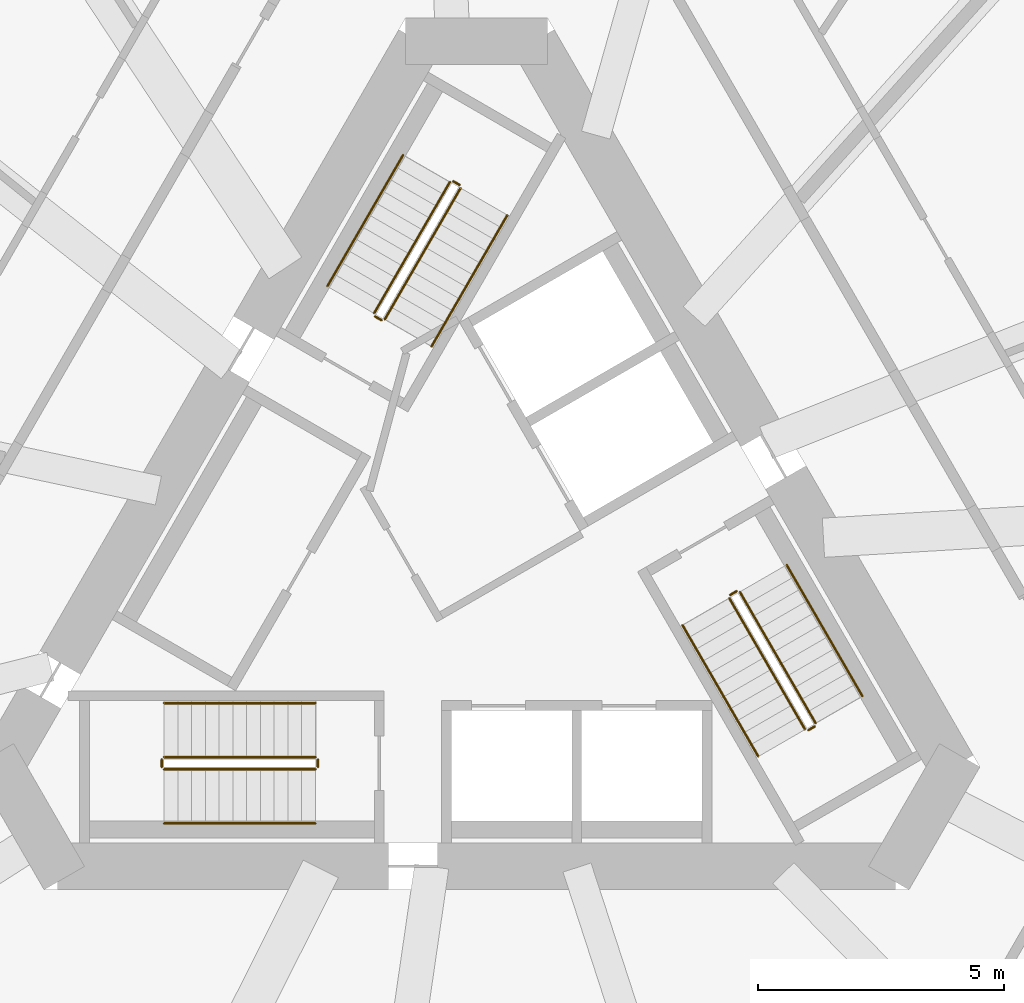
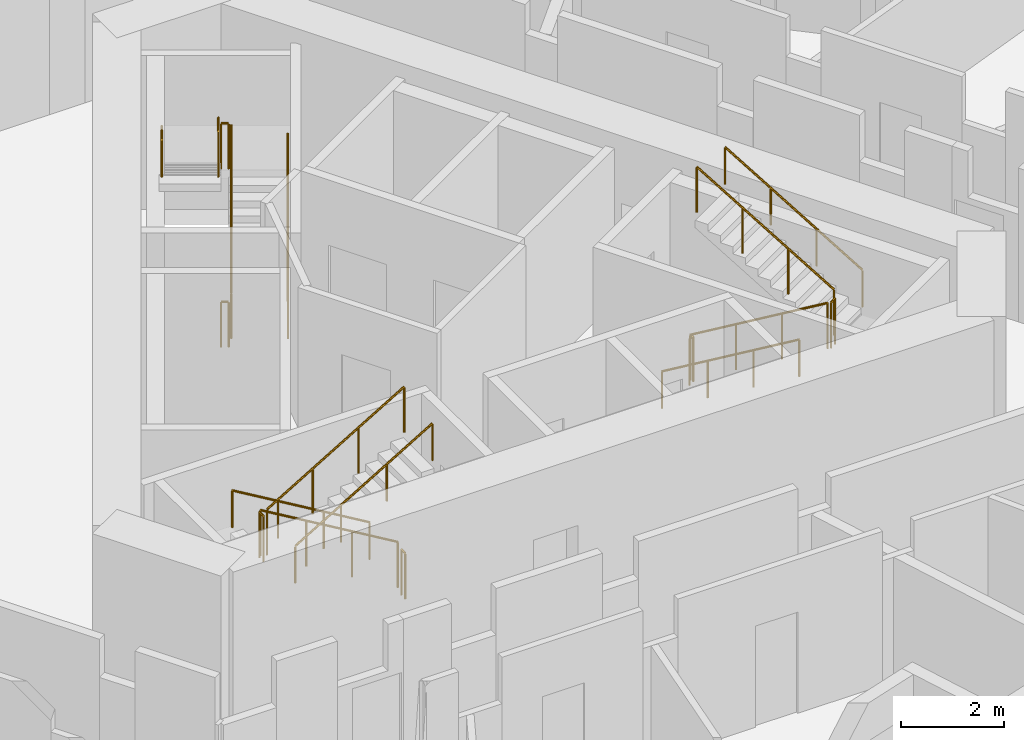
# One storey, part 11 of 12: 18 railings.
"""IFC4 building model written with IfcOpenShell, lengths in metres."""

from ifc_helpers import new_model, si_unit, direction, frame, origin, origin_2d, place, context, subcontext, project, spatial, circle, extrude, material, type_object, element, save


model = new_model("IFC4")

# Units and contexts
model_context = context("Model", 3, precision=1e-05, world=origin(), true_north=direction((0.0, 1.0)))
body_context = subcontext(model_context, "Body", "Model", "MODEL_VIEW")
ifc_project = project(units=[si_unit("LENGTHUNIT", "METRE"), si_unit("AREAUNIT", "SQUARE_METRE"), si_unit("VOLUMEUNIT", "CUBIC_METRE"), si_unit("PLANEANGLEUNIT", "RADIAN"), si_unit("MASSUNIT", "GRAM", prefix="KILO")], contexts=[model_context])

# Site, building, storey
site_placement = place(None, origin())
site = spatial("IfcSite", under=ifc_project, at=site_placement, CompositionType="ELEMENT")
building_placement = place(site_placement, origin())
building = spatial("IfcBuilding", under=site, at=building_placement, Name="Tramontana Tower", CompositionType="ELEMENT")
storey_placement = place(building_placement, frame((0.0, 0.0, 88.39990234375)))
storey = spatial("IfcBuildingStorey", under=building, at=storey_placement, Name="L19", CompositionType="ELEMENT", Elevation=88.39990234375)

# Railings
ifc_material_1 = material(Name="Painted steel", Category="steel")
railing_type_1 = type_object("IfcRailingType", Name="STAIR GUARD 1100", PredefinedType="GUARDRAIL", material=ifc_material_1)
railing_1_placement = place(storey_placement, frame((-1.867431640625, 4.865478515625, 0.166748046875)))
element("IfcRailing", 1, at=railing_1_placement, inside=storey, type_object=railing_type_1, Name="L19 ST1 stair guard 1", PredefinedType="GUARDRAIL", context=body_context, shape_type="SweptSolid", body=[
    extrude(circle(Radius=0.02392578125, at=origin_2d()), frame((0.0, 0.0, 1.076171875), z_axis=(0.429649414936, 0.744189839504, 0.511451721109), x_axis=(-0.866029832698, 0.499992328818, 0.0)), (0.0, 0.0, 1.0), 3.58447265625),
    extrude(circle(Radius=0.02099609375, at=origin_2d()), origin(), (0.0, 0.0, 1.0), 1.052001953125),
    extrude(circle(Radius=0.02099609375, at=origin_2d()), frame((0.513427734375, 0.88916015625, 0.611083984375)), (0.0, 0.0, 1.0), 1.052001953125),
    extrude(circle(Radius=0.02099609375, at=origin_2d()), frame((1.026611328125, 1.7783203125, 1.22216796875)), (0.0, 0.0, 1.0), 1.052001953125),
    extrude(circle(Radius=0.02099609375, at=origin_2d()), frame((1.5400390625, 2.66748046875, 1.833251953125)), (0.0, 0.0, 1.0), 1.052001953125),
])
railing_2_placement = place(storey_placement, frame((-0.5439453125, 7.657958984375, 2.166748046875)))
element("IfcRailing", 2, at=railing_2_placement, inside=storey, type_object=railing_type_1, Name="L19 ST1 stair guard 2", PredefinedType="GUARDRAIL", context=body_context, shape_type="SweptSolid", body=[
    extrude(circle(Radius=0.02392578125, at=origin_2d()), frame((0.0, 0.0, 1.076171875), z_axis=(-0.429649414936, -0.744189839504, 0.511451721109), x_axis=(0.866029832698, -0.499992328818, 0.0)), (0.0, 0.0, 1.0), 3.58447265625),
    extrude(circle(Radius=0.02099609375, at=origin_2d()), origin(), (0.0, 0.0, 1.0), 1.052001953125),
    extrude(circle(Radius=0.02099609375, at=origin_2d()), frame((-0.513427734375, -0.88916015625, 0.611083984375)), (0.0, 0.0, 1.0), 1.052001953125),
    extrude(circle(Radius=0.02099609375, at=origin_2d()), frame((-1.026611328125, -1.7783203125, 1.22216796875)), (0.0, 0.0, 1.0), 1.052001953125),
    extrude(circle(Radius=0.02099609375, at=origin_2d()), frame((-1.5400390625, -2.66748046875, 1.833251953125)), (0.0, 0.0, 1.0), 1.052001953125),
])
railing_3_placement = place(storey_placement, frame((-0.345703125, 7.601318359375, 2.0)))
element("IfcRailing", 3, at=railing_3_placement, inside=storey, type_object=railing_type_1, Name="L19 ST1 stair guard 3", PredefinedType="GUARDRAIL", context=body_context, shape_type="SweptSolid", body=[
    extrude(circle(Radius=0.02392578125, at=origin_2d()), frame((0.0, 0.0, 1.076171875), z_axis=(-0.866131372301, 0.499816412211, 0.0), x_axis=(-0.499816412211, -0.866131372301, 0.0)), (0.0, 0.0, 1.0), 0.14990234375),
    extrude(circle(Radius=0.02099609375, at=origin_2d()), origin(), (0.0, 0.0, 1.0), 1.052001953125),
    extrude(circle(Radius=0.02099609375, at=origin_2d()), frame((-0.1298828125, 0.074951171875, 0.0)), (0.0, 0.0, 1.0), 1.052001953125),
])
railing_4_placement = place(storey_placement, frame((-1.935791015625, 4.84716796875, 0.0)))
element("IfcRailing", 4, at=railing_4_placement, inside=storey, type_object=railing_type_1, Name="L19 ST1 stair guard 4", PredefinedType="GUARDRAIL", context=body_context, shape_type="SweptSolid", body=[
    extrude(circle(Radius=0.02392578125, at=origin_2d()), frame((0.0, 0.0, 1.076171875), z_axis=(-0.865426285481, 0.501036270542, 0.0), x_axis=(-0.501036270542, -0.865426285481, 0.0)), (0.0, 0.0, 1.0), 0.150146484375),
    extrude(circle(Radius=0.02099609375, at=origin_2d()), origin(), (0.0, 0.0, 1.0), 1.052001953125),
    extrude(circle(Radius=0.02099609375, at=origin_2d()), frame((-0.1298828125, 0.0751953125, 0.0)), (0.0, 0.0, 1.0), 1.052001953125),
])
railing_5_placement = place(storey_placement, frame((-3.280029296875, -4.050048828125, 0.166748046875)))
element("IfcRailing", 5, at=railing_5_placement, inside=storey, type_object=railing_type_1, Name="L19 ST2 stair guard 1", PredefinedType="GUARDRAIL", context=body_context, shape_type="SweptSolid", body=[
    extrude(circle(Radius=0.02392578125, at=origin_2d()), frame((0.0, 0.0, 1.076171875), z_axis=(-0.859308565015, 0.0, 0.511457515432), x_axis=(0.0, -1.0, 0.0)), (0.0, 0.0, 1.0), 3.58447265625),
    extrude(circle(Radius=0.02099609375, at=origin_2d()), origin(), (0.0, 0.0, 1.0), 1.052001953125),
    extrude(circle(Radius=0.02099609375, at=origin_2d()), frame((-1.026611328125, 0.0, 0.611083984375)), (0.0, 0.0, 1.0), 1.052001953125),
    extrude(circle(Radius=0.02099609375, at=origin_2d()), frame((-2.053466796875, 0.0, 1.22216796875)), (0.0, 0.0, 1.0), 1.052001953125),
    extrude(circle(Radius=0.02099609375, at=origin_2d()), frame((-3.080078125, 0.0, 1.833251953125)), (0.0, 0.0, 1.0), 1.052001953125),
])
railing_6_placement = place(storey_placement, frame((-6.360107421875, -4.300048828125, 2.166748046875)))
element("IfcRailing", 6, at=railing_6_placement, inside=storey, type_object=railing_type_1, Name="L19 ST2 stair guard 2", PredefinedType="GUARDRAIL", context=body_context, shape_type="SweptSolid", body=[
    extrude(circle(Radius=0.02392578125, at=origin_2d()), frame((0.0, 0.0, 1.076171875), z_axis=(0.859308565015, 0.0, 0.511457515432), x_axis=(0.0, 1.0, 0.0)), (0.0, 0.0, 1.0), 3.58447265625),
    extrude(circle(Radius=0.02099609375, at=origin_2d()), origin(), (0.0, 0.0, 1.0), 1.052001953125),
    extrude(circle(Radius=0.02099609375, at=origin_2d()), frame((1.026611328125, 0.0, 0.611083984375)), (0.0, 0.0, 1.0), 1.052001953125),
    extrude(circle(Radius=0.02099609375, at=origin_2d()), frame((2.053466796875, 0.0, 1.22216796875)), (0.0, 0.0, 1.0), 1.052001953125),
    extrude(circle(Radius=0.02099609375, at=origin_2d()), frame((3.080078125, 0.0, 1.833251953125)), (0.0, 0.0, 1.0), 1.052001953125),
])
for number, where, name in (
    (7, (-6.409912109375, -4.10009765625, 2.0), "L19 ST2 stair guard 3"),
    (8, (-3.22998046875, -4.10009765625, 0.0), "L19 ST2 stair guard 4"),
):
    element("IfcRailing", number, at=place(storey_placement, frame(where)), inside=storey, type_object=railing_type_1, Name=name, PredefinedType="GUARDRAIL", context=body_context, shape_type="SweptSolid", body=[
        extrude(circle(Radius=0.02392578125, at=origin_2d()), frame((0.0, 0.0, 1.076171875), z_axis=(0.0, -1.0, 0.0), x_axis=(1.0, 0.0, 0.0)), (0.0, 0.0, 1.0), 0.14990234375),
        extrude(circle(Radius=0.02099609375, at=origin_2d()), origin(), (0.0, 0.0, 1.0), 1.052001953125),
        extrude(circle(Radius=0.02099609375, at=origin_2d()), frame((0.0, -0.14990234375, 0.0)), (0.0, 0.0, 1.0), 1.052001953125),
    ])
railing_7_placement = place(storey_placement, frame((5.1474609375, -0.815673828125, 0.166748046875)))
element("IfcRailing", 9, at=railing_7_placement, inside=storey, type_object=railing_type_1, Name="L19 ST3 stair guard 1", PredefinedType="GUARDRAIL", context=body_context, shape_type="SweptSolid", body=[
    extrude(circle(Radius=0.02392578125, at=origin_2d()), frame((0.0, 0.0, 1.076171875), z_axis=(0.429671193721, -0.744159446956, 0.511477646425), x_axis=(0.866010015463, 0.500026652407, 0.0)), (0.0, 0.0, 1.0), 3.584228515625),
    extrude(circle(Radius=0.02099609375, at=origin_2d()), origin(), (0.0, 0.0, 1.0), 1.052001953125),
    extrude(circle(Radius=0.02099609375, at=origin_2d()), frame((0.513427734375, -0.88916015625, 0.611083984375)), (0.0, 0.0, 1.0), 1.052001953125),
    extrude(circle(Radius=0.02099609375, at=origin_2d()), frame((1.026611328125, -1.778076171875, 1.22216796875)), (0.0, 0.0, 1.0), 1.052001953125),
    extrude(circle(Radius=0.02099609375, at=origin_2d()), frame((1.5400390625, -2.667236328125, 1.833251953125)), (0.0, 0.0, 1.0), 1.052001953125),
])
railing_8_placement = place(storey_placement, frame((6.90380859375, -3.35791015625, 2.166748046875)))
element("IfcRailing", 10, at=railing_8_placement, inside=storey, type_object=railing_type_1, Name="L19 ST3 stair guard 2", PredefinedType="GUARDRAIL", context=body_context, shape_type="SweptSolid", body=[
    extrude(circle(Radius=0.02392578125, at=origin_2d()), frame((0.0, 0.0, 1.076171875), z_axis=(-0.429615651263, 0.74418122563, 0.511492615401), x_axis=(-0.866044340336, -0.499967199496, 0.0)), (0.0, 0.0, 1.0), 3.584228515625),
    extrude(circle(Radius=0.02099609375, at=origin_2d()), origin(), (0.0, 0.0, 1.0), 1.052001953125),
    extrude(circle(Radius=0.02099609375, at=origin_2d()), frame((-0.51318359375, 0.88916015625, 0.611083984375)), (0.0, 0.0, 1.0), 1.052001953125),
    extrude(circle(Radius=0.02099609375, at=origin_2d()), frame((-1.026611328125, 1.778076171875, 1.22216796875)), (0.0, 0.0, 1.0), 1.052001953125),
    extrude(circle(Radius=0.02099609375, at=origin_2d()), frame((-1.539794921875, 2.667236328125, 1.833251953125)), (0.0, 0.0, 1.0), 1.052001953125),
])
for number, where, name in (
    (11, (6.755615234375, -3.501220703125, 2.0), "L19 ST3 stair guard 3"),
    (12, (5.165771484375, -0.747314453125, 0.0), "L19 ST3 stair guard 4"),
):
    element("IfcRailing", number, at=place(storey_placement, frame(where)), inside=storey, type_object=railing_type_1, Name=name, PredefinedType="GUARDRAIL", context=body_context, shape_type="SweptSolid", body=[
        extrude(circle(Radius=0.02392578125, at=origin_2d()), frame((0.0, 0.0, 1.076171875), z_axis=(0.866131372301, 0.499816412211, 0.0), x_axis=(-0.499816412211, 0.866131372301, 0.0)), (0.0, 0.0, 1.0), 0.14990234375),
        extrude(circle(Radius=0.02099609375, at=origin_2d()), origin(), (0.0, 0.0, 1.0), 1.052001953125),
        extrude(circle(Radius=0.02099609375, at=origin_2d()), frame((0.1298828125, 0.074951171875, 0.0)), (0.0, 0.0, 1.0), 1.052001953125),
    ])
ifc_material_2 = material(Name="Painted steel", Category="steel")
railing_type_2 = type_object("IfcRailingType", Name="STAIR HANDRAIL 900", PredefinedType="HANDRAIL", material=ifc_material_2)
railing_9_placement = place(storey_placement, frame((-0.914794921875, 4.315673828125, 0.166748046875)))
element("IfcRailing", 13, at=railing_9_placement, inside=storey, type_object=railing_type_2, Name="L19 ST1 stair handrail 1", PredefinedType="HANDRAIL", context=body_context, shape_type="SweptSolid", body=[
    extrude(circle(Radius=0.02392578125, at=origin_2d()), frame((0.0, 0.0, 0.8759765625), z_axis=(0.429671193721, 0.744159446956, 0.511477646425), x_axis=(-0.866010015463, 0.500026652407, 0.0)), (0.0, 0.0, 1.0), 3.584228515625),
    extrude(circle(Radius=0.02099609375, at=origin_2d()), origin(), (0.0, 0.0, 1.0), 0.851806640625),
    extrude(circle(Radius=0.02099609375, at=origin_2d()), frame((0.513427734375, 0.88916015625, 0.611083984375)), (0.0, 0.0, 1.0), 0.851806640625),
    extrude(circle(Radius=0.02099609375, at=origin_2d()), frame((1.026611328125, 1.778076171875, 1.22216796875)), (0.0, 0.0, 1.0), 0.851806640625),
    extrude(circle(Radius=0.02099609375, at=origin_2d()), frame((1.5400390625, 2.667236328125, 1.833251953125)), (0.0, 0.0, 1.0), 0.851806640625),
])
railing_10_placement = place(storey_placement, frame((-1.49658203125, 8.2080078125, 2.166748046875)))
element("IfcRailing", 14, at=railing_10_placement, inside=storey, type_object=railing_type_2, Name="L19 ST1 stair handrail 2", PredefinedType="HANDRAIL", context=body_context, shape_type="SweptSolid", body=[
    extrude(circle(Radius=0.02392578125, at=origin_2d()), frame((0.0, 0.0, 0.8759765625), z_axis=(-0.429649414936, -0.744189839504, 0.511451721109), x_axis=(0.866029832698, -0.499992328818, 0.0)), (0.0, 0.0, 1.0), 3.58447265625),
    extrude(circle(Radius=0.02099609375, at=origin_2d()), origin(), (0.0, 0.0, 1.0), 0.851806640625),
    extrude(circle(Radius=0.02099609375, at=origin_2d()), frame((-0.513427734375, -0.88916015625, 0.611083984375)), (0.0, 0.0, 1.0), 0.851806640625),
    extrude(circle(Radius=0.02099609375, at=origin_2d()), frame((-1.026611328125, -1.7783203125, 1.22216796875)), (0.0, 0.0, 1.0), 0.851806640625),
    extrude(circle(Radius=0.02099609375, at=origin_2d()), frame((-1.5400390625, -2.66748046875, 1.833251953125)), (0.0, 0.0, 1.0), 0.851806640625),
])
railing_11_placement = place(storey_placement, frame((-3.280029296875, -2.949951171875, 0.166748046875)))
element("IfcRailing", 15, at=railing_11_placement, inside=storey, type_object=railing_type_2, Name="L19 ST2 stair handrail 1", PredefinedType="HANDRAIL", context=body_context, shape_type="SweptSolid", body=[
    extrude(circle(Radius=0.02392578125, at=origin_2d()), frame((0.0, 0.0, 0.8759765625), z_axis=(-0.859308565015, 0.0, 0.511457515432), x_axis=(0.0, -1.0, 0.0)), (0.0, 0.0, 1.0), 3.58447265625),
    extrude(circle(Radius=0.02099609375, at=origin_2d()), origin(), (0.0, 0.0, 1.0), 0.851806640625),
    extrude(circle(Radius=0.02099609375, at=origin_2d()), frame((-1.026611328125, 0.0, 0.611083984375)), (0.0, 0.0, 1.0), 0.851806640625),
    extrude(circle(Radius=0.02099609375, at=origin_2d()), frame((-2.053466796875, 0.0, 1.22216796875)), (0.0, 0.0, 1.0), 0.851806640625),
    extrude(circle(Radius=0.02099609375, at=origin_2d()), frame((-3.080078125, 0.0, 1.833251953125)), (0.0, 0.0, 1.0), 0.851806640625),
])
railing_12_placement = place(storey_placement, frame((-6.360107421875, -5.39990234375, 2.166748046875)))
element("IfcRailing", 16, at=railing_12_placement, inside=storey, type_object=railing_type_2, Name="L19 ST2 stair handrail 2", PredefinedType="HANDRAIL", context=body_context, shape_type="SweptSolid", body=[
    extrude(circle(Radius=0.02392578125, at=origin_2d()), frame((0.0, 0.0, 0.8759765625), z_axis=(0.859308565015, 0.0, 0.511457515432), x_axis=(0.0, 1.0, 0.0)), (0.0, 0.0, 1.0), 3.58447265625),
    extrude(circle(Radius=0.02099609375, at=origin_2d()), origin(), (0.0, 0.0, 1.0), 0.851806640625),
    extrude(circle(Radius=0.02099609375, at=origin_2d()), frame((1.026611328125, 0.0, 0.611083984375)), (0.0, 0.0, 1.0), 0.851806640625),
    extrude(circle(Radius=0.02099609375, at=origin_2d()), frame((2.053466796875, 0.0, 1.22216796875)), (0.0, 0.0, 1.0), 0.851806640625),
    extrude(circle(Radius=0.02099609375, at=origin_2d()), frame((3.080078125, 0.0, 1.833251953125)), (0.0, 0.0, 1.0), 0.851806640625),
])
railing_13_placement = place(storey_placement, frame((4.19482421875, -1.365478515625, 0.166748046875)))
element("IfcRailing", 17, at=railing_13_placement, inside=storey, type_object=railing_type_2, Name="L19 ST3 stair handrail 1", PredefinedType="HANDRAIL", context=body_context, shape_type="SweptSolid", body=[
    extrude(circle(Radius=0.02392578125, at=origin_2d()), frame((0.0, 0.0, 0.8759765625), z_axis=(0.429649414936, -0.744189839504, 0.511451721109), x_axis=(0.866029832698, 0.499992328818, 0.0)), (0.0, 0.0, 1.0), 3.58447265625),
    extrude(circle(Radius=0.02099609375, at=origin_2d()), origin(), (0.0, 0.0, 1.0), 0.851806640625),
    extrude(circle(Radius=0.02099609375, at=origin_2d()), frame((0.513427734375, -0.88916015625, 0.611083984375)), (0.0, 0.0, 1.0), 0.851806640625),
    extrude(circle(Radius=0.02099609375, at=origin_2d()), frame((1.026611328125, -1.7783203125, 1.22216796875)), (0.0, 0.0, 1.0), 0.851806640625),
    extrude(circle(Radius=0.02099609375, at=origin_2d()), frame((1.5400390625, -2.66748046875, 1.833251953125)), (0.0, 0.0, 1.0), 0.851806640625),
])
railing_14_placement = place(storey_placement, frame((7.8564453125, -2.807861328125, 2.166748046875)))
element("IfcRailing", 18, at=railing_14_placement, inside=storey, type_object=railing_type_2, Name="L19 ST3 stair handrail 2", PredefinedType="HANDRAIL", context=body_context, shape_type="SweptSolid", body=[
    extrude(circle(Radius=0.02392578125, at=origin_2d()), frame((0.0, 0.0, 0.8759765625), z_axis=(-0.429615651263, 0.74418122563, 0.511492615401), x_axis=(-0.866044340336, -0.499967199496, 0.0)), (0.0, 0.0, 1.0), 3.584228515625),
    extrude(circle(Radius=0.02099609375, at=origin_2d()), origin(), (0.0, 0.0, 1.0), 0.851806640625),
    extrude(circle(Radius=0.02099609375, at=origin_2d()), frame((-0.51318359375, 0.88916015625, 0.611083984375)), (0.0, 0.0, 1.0), 0.851806640625),
    extrude(circle(Radius=0.02099609375, at=origin_2d()), frame((-1.026611328125, 1.778076171875, 1.22216796875)), (0.0, 0.0, 1.0), 0.851806640625),
    extrude(circle(Radius=0.02099609375, at=origin_2d()), frame((-1.539794921875, 2.667236328125, 1.833251953125)), (0.0, 0.0, 1.0), 0.851806640625),
])

save(model, "model.ifc")
